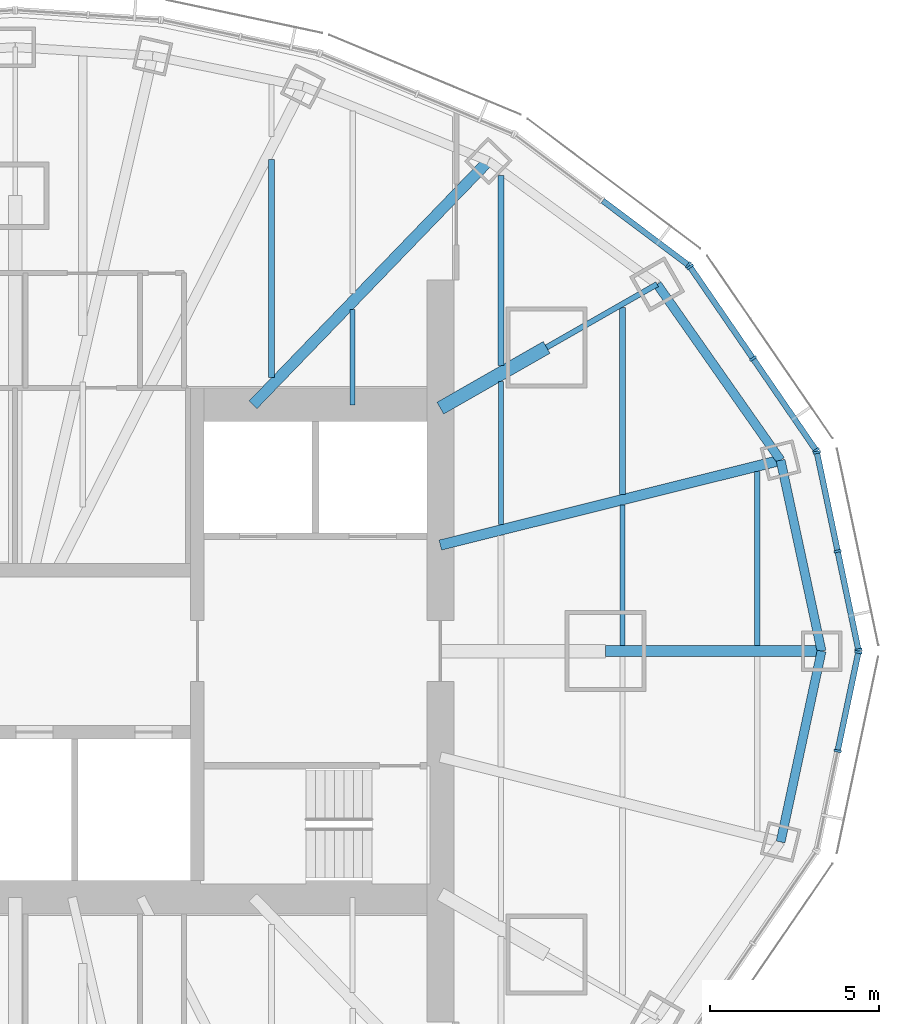
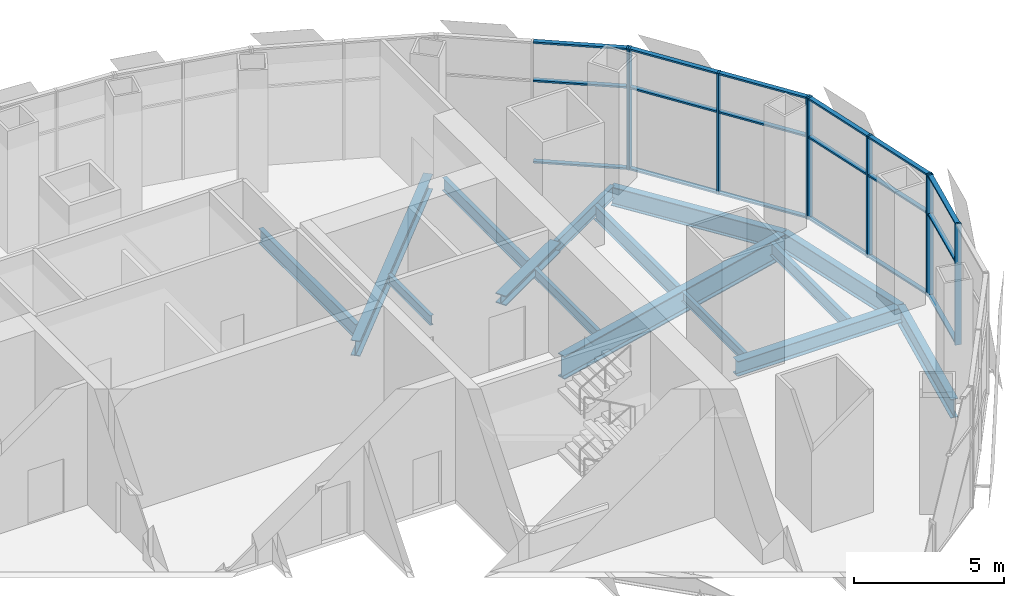
# One storey, part 6 of 17: 27 members, 15 beams, 4 elements without a shape of their own.
"""IFC4 building model written with IfcOpenShell, lengths in metres."""

from ifc_helpers import new_model, si_unit, direction, frame, origin, origin_2d, place, context, subcontext, project, spatial, rectangle, i_section, extrude, material, material_profile, profile_set, type_object, element, aggregate, save


model = new_model("IFC4")

# Units and contexts
model_context = context("Model", 3, precision=1e-05, world=origin(), true_north=direction((0.0, 1.0)))
body_context = subcontext(model_context, "Body", "Model", "MODEL_VIEW")
ifc_project = project(units=[si_unit("LENGTHUNIT", "METRE"), si_unit("AREAUNIT", "SQUARE_METRE"), si_unit("VOLUMEUNIT", "CUBIC_METRE"), si_unit("PLANEANGLEUNIT", "RADIAN"), si_unit("MASSUNIT", "GRAM", prefix="KILO")], contexts=[model_context])

# Site, building, storey
site_placement = place(None, origin())
site = spatial("IfcSite", under=ifc_project, at=site_placement, CompositionType="ELEMENT")
building_placement = place(site_placement, origin())
building = spatial("IfcBuilding", under=site, at=building_placement, Name="Lantaw Convention Tower", CompositionType="ELEMENT")
storey_placement = place(building_placement, frame((0.0, 0.0, 279.39990234375)))
storey = spatial("IfcBuildingStorey", under=building, at=storey_placement, Name="L65", CompositionType="ELEMENT", Elevation=279.39990234375)

# Beams
ifc_material_1 = material(Name="Steel ASTM A992", Category="steel")
ifc_material_profile_1 = material_profile(ifc_material_1, i_section(OverallWidth=0.2666015625, OverallDepth=0.76953125, WebThickness=0.015625, FlangeThickness=0.025390625, FilletRadius=0.0126953125, at=origin_2d()), Name="W30X132")
ifc_profile_set_1 = profile_set([ifc_material_profile_1], Name="Steel ASTM A992")
beam_type_1 = type_object("IfcBeamType", Name="Beam E W30X132", PredefinedType="SPANDREL", material=ifc_profile_set_1)
beam_1_placement = place(storey_placement, frame((23.89990234375, 0.0, -0.53466796875), z_axis=(-0.209658780372, 0.977774614015, 0.0), x_axis=(-0.977774614015, -0.209658780372, 0.0)))
element("IfcBeam", 1, at=beam_1_placement, inside=storey, type_object=beam_type_1, Name="Edge beam 1", PredefinedType="SPANDREL", context=body_context, shape_type="SweptSolid", body=[
    extrude(i_section(OverallWidth=0.2666015625, OverallDepth=0.76953125, WebThickness=0.015625, FlangeThickness=0.025390625, FilletRadius=0.0126953125, at=origin_2d()), origin(), (0.0, 0.0, 1.0), 5.78515625),
])
beam_2_placement = place(storey_placement, frame((22.68701171875, 5.656494140625, -0.53466796875), z_axis=(-0.574400527612, 0.81857439117, 0.0), x_axis=(-0.81857439117, -0.574400527612, 0.0)))
element("IfcBeam", 2, at=beam_2_placement, inside=storey, type_object=beam_type_1, Name="Edge beam 2", PredefinedType="SPANDREL", context=body_context, shape_type="SweptSolid", body=[
    extrude(i_section(OverallWidth=0.2666015625, OverallDepth=0.76953125, WebThickness=0.015625, FlangeThickness=0.025390625, FilletRadius=0.0126953125, at=origin_2d()), origin(), (0.0, 0.0, 1.0), 6.3720703125),
])
beam_3_placement = place(storey_placement, frame((22.68701171875, -5.656494140625, -0.53466796875), z_axis=(0.209658780372, 0.977774614015, 0.0), x_axis=(-0.977774614015, 0.209658780372, 0.0)))
element("IfcBeam", 3, at=beam_3_placement, inside=storey, type_object=beam_type_1, Name="Edge beam 24", PredefinedType="SPANDREL", context=body_context, shape_type="SweptSolid", body=[
    extrude(i_section(OverallWidth=0.2666015625, OverallDepth=0.76953125, WebThickness=0.015625, FlangeThickness=0.025390625, FilletRadius=0.0126953125, at=origin_2d()), origin(), (0.0, 0.0, 1.0), 5.78515625),
])
ifc_material_profile_2 = material_profile(ifc_material_1, i_section(OverallWidth=0.1650390625, OverallDepth=0.52587890625, WebThickness=0.0087890625, FlangeThickness=0.011474609375, FilletRadius=0.0126953125, at=origin_2d()), Name="W21X44")
ifc_profile_set_2 = profile_set([ifc_material_profile_2], Name="Steel ASTM A992")
beam_type_2 = type_object("IfcBeamType", Name="Beam G W21X44", PredefinedType="BEAM", material=ifc_profile_set_2)
beam_4_placement = place(storey_placement, frame((15.75, 9.0, -0.412841796875), z_axis=(0.868235180478, 0.496152870978, 0.0), x_axis=(-0.496152870978, 0.868235180478, 0.0)))
element("IfcBeam", 4, at=beam_4_placement, inside=storey, type_object=beam_type_2, Name="Floor girder on ray 3", PredefinedType="BEAM", context=body_context, shape_type="SweptSolid", body=[
    extrude(i_section(OverallWidth=0.1650390625, OverallDepth=0.52587890625, WebThickness=0.0087890625, FlangeThickness=0.011474609375, FilletRadius=0.0126953125, at=origin_2d()), origin(), (0.0, 0.0, 1.0), 3.774169921875),
])
ifc_material_profile_3 = material_profile(ifc_material_1, i_section(OverallWidth=0.3251953125, OverallDepth=0.612060546875, WebThickness=0.0126953125, FlangeThickness=0.01904296875, FilletRadius=0.0126953125, at=origin_2d()), Name="W24X104")
ifc_profile_set_3 = profile_set([ifc_material_profile_3], Name="Steel ASTM A992")
beam_type_3 = type_object("IfcBeamType", Name="Beam G W24X104", PredefinedType="BEAM", material=ifc_profile_set_3)
beam_5_placement = place(storey_placement, frame((17.5, 0.0, -0.4560546875), z_axis=(1.0, 0.0, 0.0), x_axis=(0.0, 1.0, 0.0)))
element("IfcBeam", 5, at=beam_5_placement, inside=storey, type_object=beam_type_3, Name="Floor girder on ray 1", PredefinedType="BEAM", context=body_context, shape_type="SweptSolid", body=[
    extrude(i_section(OverallWidth=0.3251953125, OverallDepth=0.612060546875, WebThickness=0.0126953125, FlangeThickness=0.01904296875, FilletRadius=0.0126953125, at=origin_2d()), origin(), (0.0, 0.0, 1.0), 6.39990234375),
])
ifc_material_profile_4 = material_profile(ifc_material_1, i_section(OverallWidth=0.32763671875, OverallDepth=0.62744140625, WebThickness=0.0166015625, FlangeThickness=0.027587890625, FilletRadius=0.0126953125, at=origin_2d()), Name="W24X146")
ifc_profile_set_4 = profile_set([ifc_material_profile_4], Name="Steel ASTM A992")
beam_type_4 = type_object("IfcBeamType", Name="Beam G W24X146", PredefinedType="BEAM", material=ifc_profile_set_4)
beam_6_placement = place(storey_placement, frame((7.049560546875, 7.300048828125, -0.463623046875), z_axis=(0.694652631285, 0.71934534255, 0.0), x_axis=(-0.71934534255, 0.694652631285, 0.0)))
element("IfcBeam", 6, at=beam_6_placement, inside=storey, type_object=beam_type_4, Name="Floor girder on ray 4", PredefinedType="BEAM", context=body_context, shape_type="SweptSolid", body=[
    extrude(i_section(OverallWidth=0.32763671875, OverallDepth=0.62744140625, WebThickness=0.0166015625, FlangeThickness=0.027587890625, FilletRadius=0.0126953125, at=origin_2d()), origin(), (0.0, 0.0, 1.0), 10.04541015625),
])
ifc_material_profile_5 = material_profile(ifc_material_1, i_section(OverallWidth=0.307373046875, OverallDepth=0.9423828125, WebThickness=0.022216796875, FlangeThickness=0.039794921875, FilletRadius=0.0126953125, at=origin_2d()), Name="W36X232")
ifc_profile_set_5 = profile_set([ifc_material_profile_5], Name="Steel ASTM A992")
beam_type_5 = type_object("IfcBeamType", Name="Beam G W36X232", PredefinedType="BEAM", material=ifc_profile_set_5)
beam_7_placement = place(storey_placement, frame((12.60009765625, 3.1416015625, -0.62109375), z_axis=(0.97029702597, 0.241916682751, 0.0), x_axis=(-0.241916682751, 0.97029702597, 0.0)))
element("IfcBeam", 7, at=beam_7_placement, inside=storey, type_object=beam_type_5, Name="Floor girder on ray 2", PredefinedType="BEAM", context=body_context, shape_type="SweptSolid", body=[
    extrude(i_section(OverallWidth=0.307373046875, OverallDepth=0.9423828125, WebThickness=0.022216796875, FlangeThickness=0.039794921875, FilletRadius=0.0126953125, at=origin_2d()), origin(), (0.0, 0.0, 1.0), 10.395751953125),
])
ifc_material_profile_6 = material_profile(ifc_material_1, i_section(OverallWidth=0.40380859375, OverallDepth=0.406494140625, WebThickness=0.027099609375, FlangeThickness=0.043701171875, FilletRadius=0.01513671875, at=origin_2d()), Name="W14X233")
ifc_profile_set_6 = profile_set([ifc_material_profile_6], Name="Steel ASTM A992")
beam_type_6 = type_object("IfcBeamType", Name="Beam GM W14X233", PredefinedType="BEAM", material=ifc_profile_set_6)
beam_8_placement = place(storey_placement, frame((12.60009765625, 7.199951171875, -0.35302734375), z_axis=(0.868230718294, 0.496160679428, 0.0), x_axis=(-0.496160679428, 0.868230718294, 0.0)))
element("IfcBeam", 8, at=beam_8_placement, inside=storey, type_object=beam_type_6, Name="Core link beam on ray 3", PredefinedType="BEAM", context=body_context, shape_type="SweptSolid", body=[
    extrude(i_section(OverallWidth=0.40380859375, OverallDepth=0.406494140625, WebThickness=0.027099609375, FlangeThickness=0.043701171875, FilletRadius=0.01513671875, at=origin_2d()), origin(), (0.0, 0.0, 1.0), 3.6279296875),
])
ifc_material_profile_7 = material_profile(ifc_material_1, i_section(OverallWidth=0.140380859375, OverallDepth=0.40380859375, WebThickness=0.007080078125, FlangeThickness=0.01123046875, FilletRadius=0.01025390625, at=origin_2d()), Name="W16X31")
ifc_profile_set_7 = profile_set([ifc_material_profile_7], Name="Steel ASTM A992")
beam_type_7 = type_object("IfcBeamType", Name="Beam J W16X31", PredefinedType="JOIST", material=ifc_profile_set_7)
beam_9_placement = place(storey_placement, frame((10.0, 7.300048828125, -0.351806640625), z_axis=(0.0, 1.0, 0.0), x_axis=(-1.0, 0.0, 0.0)))
element("IfcBeam", 9, at=beam_9_placement, inside=storey, type_object=beam_type_7, Name="Floor joist", PredefinedType="JOIST", context=body_context, shape_type="SweptSolid", body=[
    extrude(i_section(OverallWidth=0.140380859375, OverallDepth=0.40380859375, WebThickness=0.007080078125, FlangeThickness=0.01123046875, FilletRadius=0.01025390625, at=origin_2d()), origin(), (0.0, 0.0, 1.0), 2.8193359375),
])
beam_10_placement = place(storey_placement, frame((14.39990234375, 3.748779296875, -0.351806640625), z_axis=(0.0, 1.0, 0.0), x_axis=(-1.0, 0.0, 0.0)))
element("IfcBeam", 10, at=beam_10_placement, inside=storey, type_object=beam_type_7, Name="Floor joist", PredefinedType="JOIST", context=body_context, shape_type="SweptSolid", body=[
    extrude(i_section(OverallWidth=0.140380859375, OverallDepth=0.40380859375, WebThickness=0.007080078125, FlangeThickness=0.01123046875, FilletRadius=0.01025390625, at=origin_2d()), origin(), (0.0, 0.0, 1.0), 4.247314453125),
])
beam_11_placement = place(storey_placement, frame((18.0, 0.16259765625, -0.351806640625), z_axis=(0.0, 1.0, 0.0), x_axis=(-1.0, 0.0, 0.0)))
element("IfcBeam", 11, at=beam_11_placement, inside=storey, type_object=beam_type_7, Name="Floor joist", PredefinedType="JOIST", context=body_context, shape_type="SweptSolid", body=[
    extrude(i_section(OverallWidth=0.140380859375, OverallDepth=0.40380859375, WebThickness=0.007080078125, FlangeThickness=0.01123046875, FilletRadius=0.01025390625, at=origin_2d()), origin(), (0.0, 0.0, 1.0), 4.1669921875),
])
ifc_material_profile_8 = material_profile(ifc_material_1, i_section(OverallWidth=0.1650390625, OverallDepth=0.52587890625, WebThickness=0.0087890625, FlangeThickness=0.011474609375, FilletRadius=0.0126953125, at=origin_2d()), Name="W21X44")
ifc_profile_set_8 = profile_set([ifc_material_profile_8], Name="Steel ASTM A992")
beam_type_8 = type_object("IfcBeamType", Name="Beam J W21X44", PredefinedType="JOIST", material=ifc_profile_set_8)
beam_12_placement = place(storey_placement, frame((14.39990234375, 8.461181640625, -0.412841796875), z_axis=(0.0, 1.0, 0.0), x_axis=(-1.0, 0.0, 0.0)))
element("IfcBeam", 12, at=beam_12_placement, inside=storey, type_object=beam_type_8, Name="Floor joist", PredefinedType="JOIST", context=body_context, shape_type="SweptSolid", body=[
    extrude(i_section(OverallWidth=0.1650390625, OverallDepth=0.52587890625, WebThickness=0.0087890625, FlangeThickness=0.011474609375, FilletRadius=0.0126953125, at=origin_2d()), origin(), (0.0, 0.0, 1.0), 5.627685546875),
])
beam_13_placement = place(storey_placement, frame((22.0, 0.16259765625, -0.412841796875), z_axis=(0.0, 1.0, 0.0), x_axis=(-1.0, 0.0, 0.0)))
element("IfcBeam", 13, at=beam_13_placement, inside=storey, type_object=beam_type_8, Name="Floor joist", PredefinedType="JOIST", context=body_context, shape_type="SweptSolid", body=[
    extrude(i_section(OverallWidth=0.1650390625, OverallDepth=0.52587890625, WebThickness=0.0087890625, FlangeThickness=0.011474609375, FilletRadius=0.0126953125, at=origin_2d()), origin(), (0.0, 0.0, 1.0), 5.164306640625),
])
ifc_material_profile_9 = material_profile(ifc_material_1, i_section(OverallWidth=0.177978515625, OverallDepth=0.599365234375, WebThickness=0.010009765625, FlangeThickness=0.012939453125, FilletRadius=0.012939453125, at=origin_2d()), Name="W24X55")
ifc_profile_set_9 = profile_set([ifc_material_profile_9], Name="Steel ASTM A992")
beam_type_9 = type_object("IfcBeamType", Name="Beam J W24X55", PredefinedType="JOIST", material=ifc_profile_set_9)
beam_14_placement = place(storey_placement, frame((7.60009765625, 8.10595703125, -0.44970703125), z_axis=(0.0, 1.0, 0.0), x_axis=(-1.0, 0.0, 0.0)))
element("IfcBeam", 14, at=beam_14_placement, inside=storey, type_object=beam_type_9, Name="Floor joist", PredefinedType="JOIST", context=body_context, shape_type="SweptSolid", body=[
    extrude(i_section(OverallWidth=0.177978515625, OverallDepth=0.599365234375, WebThickness=0.010009765625, FlangeThickness=0.012939453125, FilletRadius=0.012939453125, at=origin_2d()), origin(), (0.0, 0.0, 1.0), 6.471435546875),
])
beam_15_placement = place(storey_placement, frame((18.0, 4.646240234375, -0.44970703125), z_axis=(0.0, 1.0, 0.0), x_axis=(-1.0, 0.0, 0.0)))
element("IfcBeam", 15, at=beam_15_placement, inside=storey, type_object=beam_type_9, Name="Floor joist", PredefinedType="JOIST", context=body_context, shape_type="SweptSolid", body=[
    extrude(i_section(OverallWidth=0.177978515625, OverallDepth=0.599365234375, WebThickness=0.010009765625, FlangeThickness=0.012939453125, FilletRadius=0.012939453125, at=origin_2d()), origin(), (0.0, 0.0, 1.0), 5.54443359375),
])

# Curtain wall, members
ifc_material_2 = material(Name="Aluminium framed curtain wall", Category="aluminium")
curtain_wall_type = type_object("IfcCurtainWallType", Name="Executive floors curtain wall, pale aluminium", PredefinedType="USERDEFINED", material=ifc_material_2)
curtain_wall_1_placement = place(storey_placement, origin())
curtain_wall_1 = element("IfcCurtainWall", 16, at=curtain_wall_1_placement, inside=storey, type_object=curtain_wall_type, Name="Executive floors curtain wall, pale aluminium L65", ObjectType="UNITISED CURTAIN WALL", PredefinedType="USERDEFINED")
ifc_material_3 = material(Name="Aluminium 6063-T6", Category="aluminium")
ifc_material_profile_10 = material_profile(ifc_material_3, rectangle(XDim=0.219970703125, YDim=0.070068359375, at=origin_2d()), Name="CW-T mullion 70x220")
ifc_profile_set_10 = profile_set([ifc_material_profile_10], Name="Aluminium 6063-T6")
member_type_1 = type_object("IfcMemberType", Name="CW-T mullion 70x220", PredefinedType="MULLION", material=ifc_profile_set_10)
member_1_placement = place(storey_placement, frame((24.99267578125, 0.0341796875, -0.14990234375), z_axis=(0.0, 0.0, 1.0), x_axis=(-0.978591117263, -0.205814054946, 0.0)))
member_1 = element("IfcMember", 17, at=member_1_placement, type_object=member_type_1, Name="CW-T mullion 1", PredefinedType="MULLION", context=body_context, shape_type="SweptSolid", body=[
    extrude(rectangle(XDim=0.219970703125, YDim=0.070068359375, at=origin_2d()), origin(), (0.0, 0.0, 1.0), 4.949951171875),
])
member_2_placement = place(storey_placement, frame((24.377197265625, 2.96142578125, -0.14990234375), z_axis=(0.0, 0.0, 1.0), x_axis=(-0.978591117263, -0.205814054946, 0.0)))
member_2 = element("IfcMember", 18, at=member_2_placement, type_object=member_type_1, Name="CW-T mullion 2", PredefinedType="MULLION", context=body_context, shape_type="SweptSolid", body=[
    extrude(rectangle(XDim=0.219970703125, YDim=0.070068359375, at=origin_2d()), origin(), (0.0, 0.0, 1.0), 4.949951171875),
])
member_3_placement = place(storey_placement, frame((23.761474609375, 5.888427734375, -0.14990234375), z_axis=(0.0, 0.0, 1.0), x_axis=(-0.978591117263, -0.205814054946, 0.0)))
member_3 = element("IfcMember", 19, at=member_3_placement, type_object=member_type_1, Name="CW-T mullion 3", PredefinedType="MULLION", context=body_context, shape_type="SweptSolid", body=[
    extrude(rectangle(XDim=0.219970703125, YDim=0.070068359375, at=origin_2d()), origin(), (0.0, 0.0, 1.0), 4.949951171875),
])

curtain_wall_2_placement = place(storey_placement, origin())
curtain_wall_2 = element("IfcCurtainWall", 20, at=curtain_wall_2_placement, inside=storey, type_object=curtain_wall_type, Name="Executive floors curtain wall, pale aluminium L65", ObjectType="UNITISED CURTAIN WALL", PredefinedType="USERDEFINED")
member_4_placement = place(storey_placement, frame((23.734619140625, 5.951416015625, -0.14990234375), z_axis=(0.0, 0.0, 1.0), x_axis=(-0.824449977189, -0.565934832921, 0.0)))
member_4 = element("IfcMember", 21, at=member_4_placement, type_object=member_type_1, Name="CW-T mullion 1", PredefinedType="MULLION", context=body_context, shape_type="SweptSolid", body=[
    extrude(rectangle(XDim=0.219970703125, YDim=0.070068359375, at=origin_2d()), origin(), (0.0, 0.0, 1.0), 4.949951171875),
])
member_5_placement = place(storey_placement, frame((21.8681640625, 8.67041015625, -0.14990234375), z_axis=(0.0, 0.0, 1.0), x_axis=(-0.824449977189, -0.565934832921, 0.0)))
member_5 = element("IfcMember", 22, at=member_5_placement, type_object=member_type_1, Name="CW-T mullion 2", PredefinedType="MULLION", context=body_context, shape_type="SweptSolid", body=[
    extrude(rectangle(XDim=0.219970703125, YDim=0.070068359375, at=origin_2d()), origin(), (0.0, 0.0, 1.0), 4.949951171875),
])
member_6_placement = place(storey_placement, frame((20.001708984375, 11.389404296875, -0.14990234375), z_axis=(0.0, 0.0, 1.0), x_axis=(-0.824449977189, -0.565934832921, 0.0)))
member_6 = element("IfcMember", 23, at=member_6_placement, type_object=member_type_1, Name="CW-T mullion 3", PredefinedType="MULLION", context=body_context, shape_type="SweptSolid", body=[
    extrude(rectangle(XDim=0.219970703125, YDim=0.070068359375, at=origin_2d()), origin(), (0.0, 0.0, 1.0), 4.949951171875),
])

# Curtain wall, member
curtain_wall_3_placement = place(storey_placement, origin())
curtain_wall_3 = element("IfcCurtainWall", 24, at=curtain_wall_3_placement, inside=storey, type_object=curtain_wall_type, Name="Executive floors curtain wall, pale aluminium L65", ObjectType="UNITISED CURTAIN WALL", PredefinedType="USERDEFINED")
member_7_placement = place(storey_placement, frame((19.953857421875, 11.439208984375, -0.14990234375), z_axis=(0.0, 0.0, 1.0), x_axis=(-0.600642756762, -0.799517528732, 0.0)))
member_7 = element("IfcMember", 25, at=member_7_placement, type_object=member_type_1, Name="CW-T mullion 1", PredefinedType="MULLION", context=body_context, shape_type="SweptSolid", body=[
    extrude(rectangle(XDim=0.219970703125, YDim=0.070068359375, at=origin_2d()), origin(), (0.0, 0.0, 1.0), 4.949951171875),
])

# Curtain wall, members
curtain_wall_4_placement = place(storey_placement, origin())
curtain_wall_4 = element("IfcCurtainWall", 26, at=curtain_wall_4_placement, inside=storey, type_object=curtain_wall_type, Name="Executive floors curtain wall, pale aluminium L65", ObjectType="UNITISED CURTAIN WALL", PredefinedType="USERDEFINED")
member_8_placement = place(storey_placement, frame((24.377197265625, -2.96142578125, -0.14990234375), z_axis=(0.0, 0.0, 1.0), x_axis=(-0.978591117263, 0.205814054946, 0.0)))
member_8 = element("IfcMember", 27, at=member_8_placement, type_object=member_type_1, Name="CW-T mullion 2", PredefinedType="MULLION", context=body_context, shape_type="SweptSolid", body=[
    extrude(rectangle(XDim=0.219970703125, YDim=0.070068359375, at=origin_2d()), origin(), (0.0, 0.0, 1.0), 4.949951171875),
])
member_9_placement = place(storey_placement, frame((24.99267578125, -0.0341796875, -0.14990234375), z_axis=(0.0, 0.0, 1.0), x_axis=(-0.978591117263, 0.205814054946, 0.0)))
member_9 = element("IfcMember", 28, at=member_9_placement, type_object=member_type_1, Name="CW-T mullion 3", PredefinedType="MULLION", context=body_context, shape_type="SweptSolid", body=[
    extrude(rectangle(XDim=0.219970703125, YDim=0.070068359375, at=origin_2d()), origin(), (0.0, 0.0, 1.0), 4.949951171875),
])

# Member
ifc_material_profile_11 = material_profile(ifc_material_3, rectangle(XDim=0.169921875, YDim=0.070068359375, at=origin_2d()), Name="CW-T transom 70x170")
ifc_profile_set_11 = profile_set([ifc_material_profile_11], Name="Aluminium 6063-T6")
member_type_2 = type_object("IfcMemberType", Name="CW-T transom 70x170", PredefinedType="USERDEFINED", material=ifc_profile_set_11)
member_10_placement = place(storey_placement, frame((24.985595703125, 0.068603515625, -0.114990234375), z_axis=(-0.205863045856, 0.978580812376, 0.0), x_axis=(-0.978580812376, -0.205863045856, 0.0)))
member_10 = element("IfcMember", 29, at=member_10_placement, type_object=member_type_2, Name="CW-T transom 1.1", ObjectType="TRANSOM", PredefinedType="USERDEFINED", context=body_context, shape_type="SweptSolid", body=[
    extrude(rectangle(XDim=0.169921875, YDim=0.070068359375, at=origin_2d()), origin(), (0.0, 0.0, 1.0), 2.9208984375),
])

member_11_placement = place(storey_placement, frame((24.985595703125, 0.068603515625, 3.2001953125), z_axis=(-0.205863045856, 0.978580812376, 0.0), x_axis=(-0.978580812376, -0.205863045856, 0.0)))
member_11 = element("IfcMember", 30, at=member_11_placement, type_object=member_type_2, Name="CW-T transom 1.2", ObjectType="TRANSOM", PredefinedType="USERDEFINED", context=body_context, shape_type="SweptSolid", body=[
    extrude(rectangle(XDim=0.169921875, YDim=0.070068359375, at=origin_2d()), origin(), (0.0, 0.0, 1.0), 2.9208984375),
])

member_12_placement = place(storey_placement, frame((24.985595703125, 0.068603515625, 4.76513671875), z_axis=(-0.205863045856, 0.978580812376, 0.0), x_axis=(-0.978580812376, -0.205863045856, 0.0)))
member_12 = element("IfcMember", 31, at=member_12_placement, type_object=member_type_2, Name="CW-T transom 1.3", ObjectType="TRANSOM", PredefinedType="USERDEFINED", context=body_context, shape_type="SweptSolid", body=[
    extrude(rectangle(XDim=0.169921875, YDim=0.070068359375, at=origin_2d()), origin(), (0.0, 0.0, 1.0), 2.9208984375),
])

member_13_placement = place(storey_placement, frame((24.369873046875, 2.99560546875, -0.114990234375), z_axis=(-0.205766173106, 0.978601186391, 0.0), x_axis=(-0.978601186391, -0.205766173106, 0.0)))
member_13 = element("IfcMember", 32, at=member_13_placement, type_object=member_type_2, Name="CW-T transom 2.1", ObjectType="TRANSOM", PredefinedType="USERDEFINED", context=body_context, shape_type="SweptSolid", body=[
    extrude(rectangle(XDim=0.169921875, YDim=0.070068359375, at=origin_2d()), origin(), (0.0, 0.0, 1.0), 2.921142578125),
])

member_14_placement = place(storey_placement, frame((24.369873046875, 2.99560546875, 3.2001953125), z_axis=(-0.205766173106, 0.978601186391, 0.0), x_axis=(-0.978601186391, -0.205766173106, 0.0)))
member_14 = element("IfcMember", 33, at=member_14_placement, type_object=member_type_2, Name="CW-T transom 2.2", ObjectType="TRANSOM", PredefinedType="USERDEFINED", context=body_context, shape_type="SweptSolid", body=[
    extrude(rectangle(XDim=0.169921875, YDim=0.070068359375, at=origin_2d()), origin(), (0.0, 0.0, 1.0), 2.921142578125),
])

member_15_placement = place(storey_placement, frame((24.369873046875, 2.99560546875, 4.76513671875), z_axis=(-0.205766173106, 0.978601186391, 0.0), x_axis=(-0.978601186391, -0.205766173106, 0.0)))
member_15 = element("IfcMember", 34, at=member_15_placement, type_object=member_type_2, Name="CW-T transom 2.3", ObjectType="TRANSOM", PredefinedType="USERDEFINED", context=body_context, shape_type="SweptSolid", body=[
    extrude(rectangle(XDim=0.169921875, YDim=0.070068359375, at=origin_2d()), origin(), (0.0, 0.0, 1.0), 2.921142578125),
])

aggregate(curtain_wall_1, [member_1, member_2, member_3, member_10, member_11, member_12, member_13, member_14, member_15])

member_16_placement = place(storey_placement, frame((23.71484375, 5.980224609375, -0.114990234375), z_axis=(-0.56594129057, 0.824445544368, 0.0), x_axis=(-0.824445544368, -0.56594129057, 0.0)))
member_16 = element("IfcMember", 35, at=member_16_placement, type_object=member_type_2, Name="CW-T transom 1.1", ObjectType="TRANSOM", PredefinedType="USERDEFINED", context=body_context, shape_type="SweptSolid", body=[
    extrude(rectangle(XDim=0.169921875, YDim=0.070068359375, at=origin_2d()), origin(), (0.0, 0.0, 1.0), 3.22802734375),
])

member_17_placement = place(storey_placement, frame((23.71484375, 5.980224609375, 3.2001953125), z_axis=(-0.56594129057, 0.824445544368, 0.0), x_axis=(-0.824445544368, -0.56594129057, 0.0)))
member_17 = element("IfcMember", 36, at=member_17_placement, type_object=member_type_2, Name="CW-T transom 1.2", ObjectType="TRANSOM", PredefinedType="USERDEFINED", context=body_context, shape_type="SweptSolid", body=[
    extrude(rectangle(XDim=0.169921875, YDim=0.070068359375, at=origin_2d()), origin(), (0.0, 0.0, 1.0), 3.22802734375),
])

member_18_placement = place(storey_placement, frame((23.71484375, 5.980224609375, 4.76513671875), z_axis=(-0.56594129057, 0.824445544368, 0.0), x_axis=(-0.824445544368, -0.56594129057, 0.0)))
member_18 = element("IfcMember", 37, at=member_18_placement, type_object=member_type_2, Name="CW-T transom 1.3", ObjectType="TRANSOM", PredefinedType="USERDEFINED", context=body_context, shape_type="SweptSolid", body=[
    extrude(rectangle(XDim=0.169921875, YDim=0.070068359375, at=origin_2d()), origin(), (0.0, 0.0, 1.0), 3.22802734375),
])

member_19_placement = place(storey_placement, frame((21.848388671875, 8.69921875, -0.114990234375), z_axis=(-0.56594129057, 0.824445544368, 0.0), x_axis=(-0.824445544368, -0.56594129057, 0.0)))
member_19 = element("IfcMember", 38, at=member_19_placement, type_object=member_type_2, Name="CW-T transom 2.1", ObjectType="TRANSOM", PredefinedType="USERDEFINED", context=body_context, shape_type="SweptSolid", body=[
    extrude(rectangle(XDim=0.169921875, YDim=0.070068359375, at=origin_2d()), origin(), (0.0, 0.0, 1.0), 3.22802734375),
])

member_20_placement = place(storey_placement, frame((21.848388671875, 8.69921875, 3.2001953125), z_axis=(-0.56594129057, 0.824445544368, 0.0), x_axis=(-0.824445544368, -0.56594129057, 0.0)))
member_20 = element("IfcMember", 39, at=member_20_placement, type_object=member_type_2, Name="CW-T transom 2.2", ObjectType="TRANSOM", PredefinedType="USERDEFINED", context=body_context, shape_type="SweptSolid", body=[
    extrude(rectangle(XDim=0.169921875, YDim=0.070068359375, at=origin_2d()), origin(), (0.0, 0.0, 1.0), 3.22802734375),
])

member_21_placement = place(storey_placement, frame((21.848388671875, 8.69921875, 4.76513671875), z_axis=(-0.56594129057, 0.824445544368, 0.0), x_axis=(-0.824445544368, -0.56594129057, 0.0)))
member_21 = element("IfcMember", 40, at=member_21_placement, type_object=member_type_2, Name="CW-T transom 2.3", ObjectType="TRANSOM", PredefinedType="USERDEFINED", context=body_context, shape_type="SweptSolid", body=[
    extrude(rectangle(XDim=0.169921875, YDim=0.070068359375, at=origin_2d()), origin(), (0.0, 0.0, 1.0), 3.22802734375),
])

aggregate(curtain_wall_2, [member_4, member_5, member_6, member_16, member_17, member_18, member_19, member_20, member_21])

member_22_placement = place(storey_placement, frame((19.926025390625, 11.460205078125, -0.114990234375), z_axis=(-0.799496049611, 0.600671346626, 0.0), x_axis=(-0.600671346626, -0.799496049611, 0.0)))
member_22 = element("IfcMember", 41, at=member_22_placement, type_object=member_type_2, Name="CW-T transom 1.1", ObjectType="TRANSOM", PredefinedType="USERDEFINED", context=body_context, shape_type="SweptSolid", body=[
    extrude(rectangle(XDim=0.169921875, YDim=0.070068359375, at=origin_2d()), origin(), (0.0, 0.0, 1.0), 3.14111328125),
])

member_23_placement = place(storey_placement, frame((19.926025390625, 11.460205078125, 3.2001953125), z_axis=(-0.799496049611, 0.600671346626, 0.0), x_axis=(-0.600671346626, -0.799496049611, 0.0)))
member_23 = element("IfcMember", 42, at=member_23_placement, type_object=member_type_2, Name="CW-T transom 1.2", ObjectType="TRANSOM", PredefinedType="USERDEFINED", context=body_context, shape_type="SweptSolid", body=[
    extrude(rectangle(XDim=0.169921875, YDim=0.070068359375, at=origin_2d()), origin(), (0.0, 0.0, 1.0), 3.14111328125),
])

member_24_placement = place(storey_placement, frame((19.926025390625, 11.460205078125, 4.76513671875), z_axis=(-0.799496049611, 0.600671346626, 0.0), x_axis=(-0.600671346626, -0.799496049611, 0.0)))
member_24 = element("IfcMember", 43, at=member_24_placement, type_object=member_type_2, Name="CW-T transom 1.3", ObjectType="TRANSOM", PredefinedType="USERDEFINED", context=body_context, shape_type="SweptSolid", body=[
    extrude(rectangle(XDim=0.169921875, YDim=0.070068359375, at=origin_2d()), origin(), (0.0, 0.0, 1.0), 3.14111328125),
])

aggregate(curtain_wall_3, [member_7, member_22, member_23, member_24])

member_25_placement = place(storey_placement, frame((24.38427734375, -2.927001953125, -0.114990234375), z_axis=(0.205863045856, 0.978580812376, 0.0), x_axis=(-0.978580812376, 0.205863045856, 0.0)))
member_25 = element("IfcMember", 44, at=member_25_placement, type_object=member_type_2, Name="CW-T transom 2.1", ObjectType="TRANSOM", PredefinedType="USERDEFINED", context=body_context, shape_type="SweptSolid", body=[
    extrude(rectangle(XDim=0.169921875, YDim=0.070068359375, at=origin_2d()), origin(), (0.0, 0.0, 1.0), 2.9208984375),
])

member_26_placement = place(storey_placement, frame((24.38427734375, -2.927001953125, 3.2001953125), z_axis=(0.205863045856, 0.978580812376, 0.0), x_axis=(-0.978580812376, 0.205863045856, 0.0)))
member_26 = element("IfcMember", 45, at=member_26_placement, type_object=member_type_2, Name="CW-T transom 2.2", ObjectType="TRANSOM", PredefinedType="USERDEFINED", context=body_context, shape_type="SweptSolid", body=[
    extrude(rectangle(XDim=0.169921875, YDim=0.070068359375, at=origin_2d()), origin(), (0.0, 0.0, 1.0), 2.9208984375),
])

member_27_placement = place(storey_placement, frame((24.38427734375, -2.927001953125, 4.76513671875), z_axis=(0.205863045856, 0.978580812376, 0.0), x_axis=(-0.978580812376, 0.205863045856, 0.0)))
member_27 = element("IfcMember", 46, at=member_27_placement, type_object=member_type_2, Name="CW-T transom 2.3", ObjectType="TRANSOM", PredefinedType="USERDEFINED", context=body_context, shape_type="SweptSolid", body=[
    extrude(rectangle(XDim=0.169921875, YDim=0.070068359375, at=origin_2d()), origin(), (0.0, 0.0, 1.0), 2.9208984375),
])

aggregate(curtain_wall_4, [member_8, member_9, member_25, member_26, member_27])

save(model, "model.ifc")
